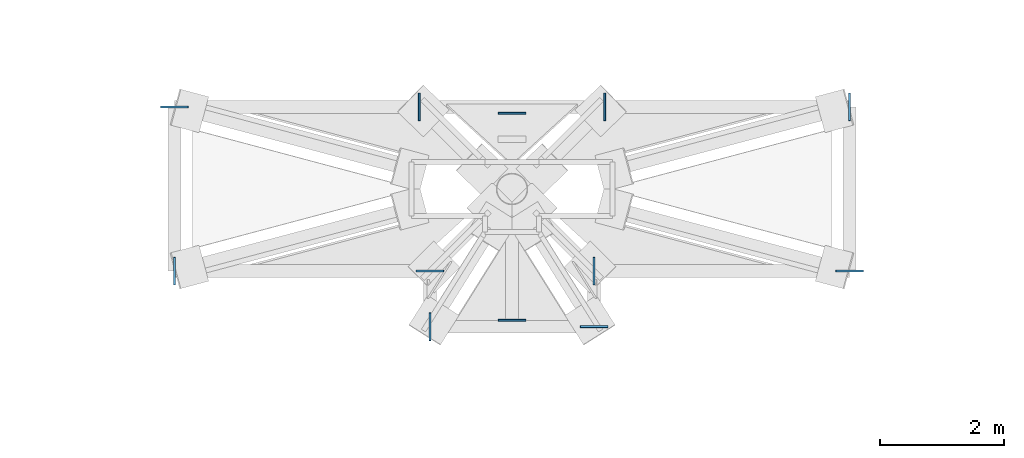
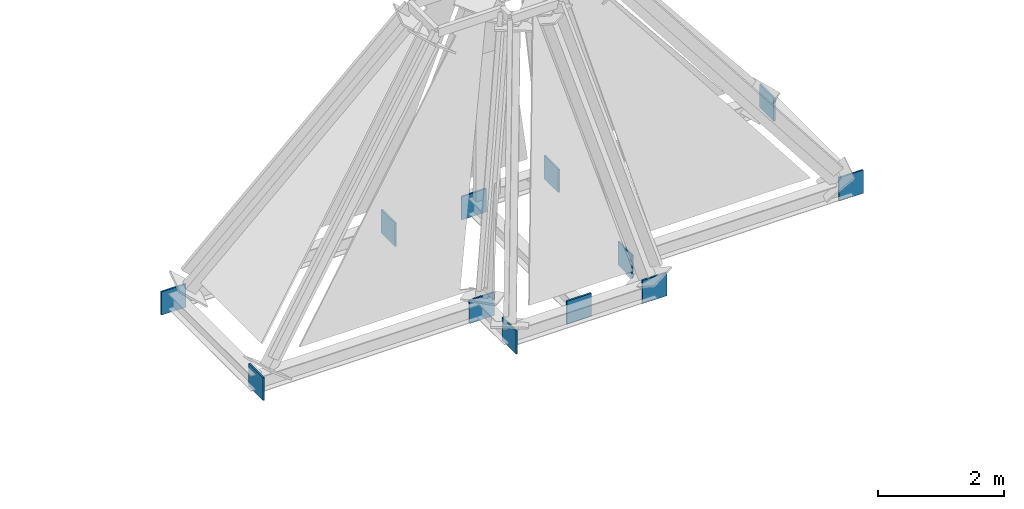
# One storey, part 3 of 4: 12 discrete accessories.
"""IFC4 building model written with IfcOpenShell, lengths in metres."""

from ifc_helpers import new_model, si_unit, direction, frame, origin, origin_2d, place, context, subcontext, project, spatial, rectangle, extrude, material, material_profile, profile_set, type_object, element, save


model = new_model("IFC4")

# Units and contexts
model_context = context("Model", 3, precision=1e-05, world=origin(), true_north=direction((0.0, 1.0)))
body_context = subcontext(model_context, "Body", "Model", "MODEL_VIEW")
ifc_project = project(units=[si_unit("LENGTHUNIT", "METRE"), si_unit("AREAUNIT", "SQUARE_METRE"), si_unit("VOLUMEUNIT", "CUBIC_METRE"), si_unit("PLANEANGLEUNIT", "RADIAN"), si_unit("MASSUNIT", "GRAM", prefix="KILO")], contexts=[model_context])

# Site, building, storey
site_placement = place(None, origin())
site = spatial("IfcSite", under=ifc_project, at=site_placement, CompositionType="ELEMENT")
building_placement = place(site_placement, origin())
building = spatial("IfcBuilding", under=site, at=building_placement, Name="Perihelion Cross Residences", CompositionType="ELEMENT")
storey_placement = place(building_placement, frame((0.0, 0.0, 321.300048828125)))
storey = spatial("IfcBuildingStorey", under=building, at=storey_placement, Name="L81", CompositionType="ELEMENT", Elevation=321.300048828125)

# Discrete accessories
ifc_material = material(Name="Structural steel S355 plate", Category="steel")
ifc_material_profile = material_profile(ifc_material, rectangle(XDim=0.449951171875, YDim=0.449951171875, at=origin_2d()), Name="Crown end plate")
ifc_profile_set = profile_set([ifc_material_profile], Name="Structural steel S355 plate")
discrete_accessory_type = type_object("IfcDiscreteAccessoryType", Name="Crown end plate", PredefinedType="BRACKET", material=ifc_profile_set)
discrete_accessory_1_placement = place(storey_placement, frame((5.43896484375, -1.33642578125, -0.401123046875), z_axis=(0.0, 1.0, 0.0), x_axis=(-1.0, 0.0, 0.0)))
element("IfcDiscreteAccessory", 1, at=discrete_accessory_1_placement, inside=storey, type_object=discrete_accessory_type, Name="Crown end plate", PredefinedType="BRACKET", context=body_context, shape_type="SweptSolid", body=[
    extrude(rectangle(XDim=0.449951171875, YDim=0.449951171875, at=origin_2d()), origin(), (0.0, 0.0, 1.0), 0.030029296875),
])
discrete_accessory_2_placement = place(storey_placement, frame((5.453857421875, 1.321533203125, -0.401123046875), z_axis=(-1.0, 0.0, 0.0), x_axis=(0.0, -1.0, 0.0)))
element("IfcDiscreteAccessory", 2, at=discrete_accessory_2_placement, inside=storey, type_object=discrete_accessory_type, Name="Crown end plate", PredefinedType="BRACKET", context=body_context, shape_type="SweptSolid", body=[
    extrude(rectangle(XDim=0.449951171875, YDim=0.449951171875, at=origin_2d()), origin(), (0.0, 0.0, 1.0), 0.02978515625),
])
for number, where, z_axis, x_axis, name in (
    (3, (1.50927734375, 1.321533203125, -0.401123046875), (-1.0, 0.0, 0.0), (0.0, -1.0, 0.0), "Crown end plate"),
    (4, (-1.479248046875, 1.321533203125, -0.401123046875), (-1.0, 0.0, 0.0), (0.0, -1.0, 0.0), "Crown end plate"),
    (5, (-5.43896484375, 1.33642578125, -0.401123046875), (0.0, -1.0, 0.0), (1.0, 0.0, 0.0), "Crown end plate"),
):
    element("IfcDiscreteAccessory", number, at=place(storey_placement, frame(where, z_axis=z_axis, x_axis=x_axis)), inside=storey, type_object=discrete_accessory_type, Name=name, PredefinedType="BRACKET", context=body_context, shape_type="SweptSolid", body=[
        extrude(rectangle(XDim=0.449951171875, YDim=0.449951171875, at=origin_2d()), origin(), (0.0, 0.0, 1.0), 0.030029296875),
    ])
discrete_accessory_3_placement = place(storey_placement, frame((-5.453857421875, -1.321533203125, -0.401123046875), z_axis=(1.0, 0.0, 0.0), x_axis=(0.0, 1.0, 0.0)))
element("IfcDiscreteAccessory", 6, at=discrete_accessory_3_placement, inside=storey, type_object=discrete_accessory_type, Name="Crown end plate", PredefinedType="BRACKET", context=body_context, shape_type="SweptSolid", body=[
    extrude(rectangle(XDim=0.449951171875, YDim=0.449951171875, at=origin_2d()), origin(), (0.0, 0.0, 1.0), 0.02978515625),
])
for number, where, z_axis, x_axis, name in (
    (7, (-1.321533203125, -1.306396484375, -0.401123046875), (0.0, -1.0, 0.0), (1.0, 0.0, 0.0), "Crown end plate"),
    (8, (-1.33642578125, -2.218017578125, -0.401123046875), (1.0, 0.0, 0.0), (0.0, 1.0, 0.0), "Crown end plate"),
    (9, (1.321533203125, -2.23291015625, -0.401123046875), (0.0, 1.0, 0.0), (-1.0, 0.0, 0.0), "Crown end plate"),
    (10, (1.306396484375, -1.321533203125, -0.401123046875), (1.0, 0.0, 0.0), (0.0, 1.0, 0.0), "Crown end plate"),
    (11, (0.0, -2.131591796875, -0.401123046875), (0.0, 1.0, 0.0), (-1.0, 0.0, 0.0), "Crown end plate"),
    (12, (0.0, 1.204833984375, -0.401123046875), (0.0, 1.0, 0.0), (-1.0, 0.0, 0.0), "Crown end plate"),
):
    element("IfcDiscreteAccessory", number, at=place(storey_placement, frame(where, z_axis=z_axis, x_axis=x_axis)), inside=storey, type_object=discrete_accessory_type, Name=name, PredefinedType="BRACKET", context=body_context, shape_type="SweptSolid", body=[
        extrude(rectangle(XDim=0.449951171875, YDim=0.449951171875, at=origin_2d()), origin(), (0.0, 0.0, 1.0), 0.030029296875),
    ])

save(model, "model.ifc")
